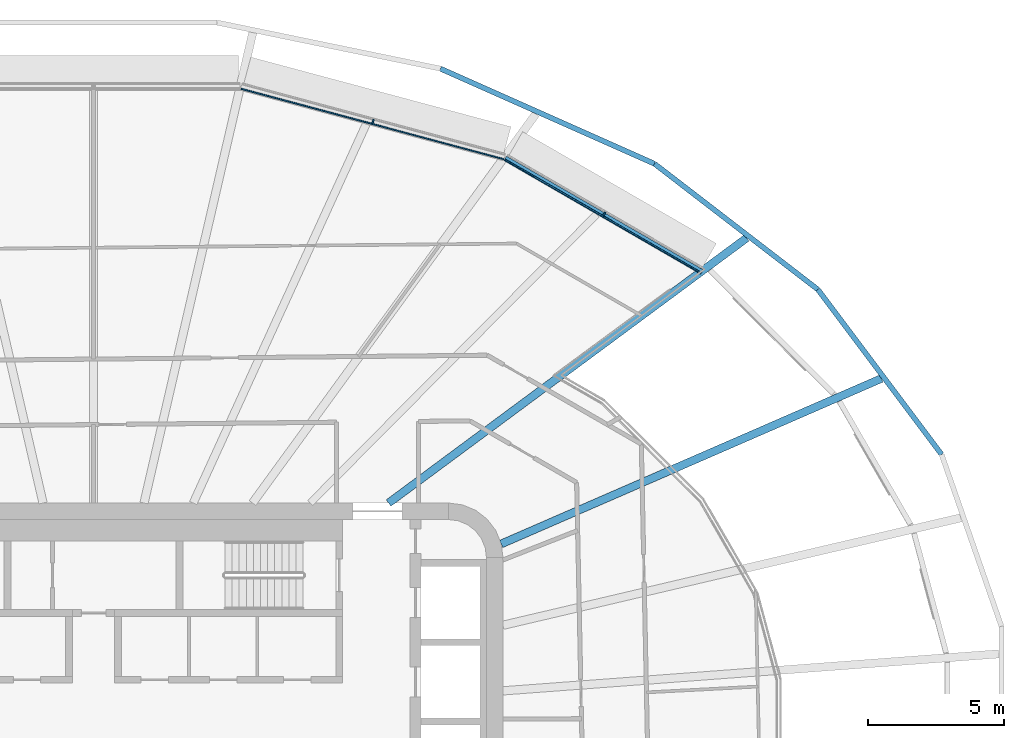
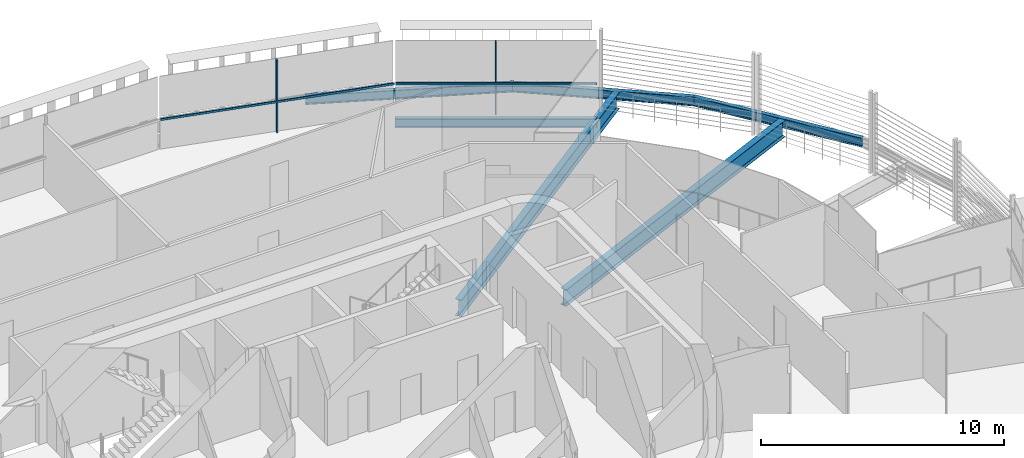
# One storey, part 9 of 24: 6 beams, 4 members, 2 elements without a shape of their own.
"""IFC4 building model written with IfcOpenShell, lengths in metres."""

from ifc_helpers import new_model, si_unit, direction, frame, origin, origin_2d, place, context, subcontext, project, spatial, rectangle, i_section, extrude, material, layer, layer_set, material_profile, profile_set, type_object, element, aggregate, save


model = new_model("IFC4")

# Units and contexts
model_context = context("Model", 3, precision=1e-05, world=origin(), true_north=direction((0.0, 1.0)))
body_context = subcontext(model_context, "Body", "Model", "MODEL_VIEW")
ifc_project = project(units=[si_unit("LENGTHUNIT", "METRE"), si_unit("AREAUNIT", "SQUARE_METRE"), si_unit("VOLUMEUNIT", "CUBIC_METRE"), si_unit("PLANEANGLEUNIT", "RADIAN"), si_unit("MASSUNIT", "GRAM", prefix="KILO")], contexts=[model_context])

# Site, building, storey
site_placement = place(None, origin())
site = spatial("IfcSite", under=ifc_project, at=site_placement, CompositionType="ELEMENT")
building_placement = place(site_placement, origin())
building = spatial("IfcBuilding", under=site, at=building_placement, Name="Sahrelin Media Tower", CompositionType="ELEMENT")
storey_placement = place(building_placement, frame((0.0, 0.0, 71.39990234375)))
storey = spatial("IfcBuildingStorey", under=building, at=storey_placement, Name="L12", CompositionType="ELEMENT", Elevation=71.39990234375)

# Beam
ifc_material_1 = material(Name="Steel S355", Category="steel")
ifc_material_profile_1 = material_profile(ifc_material_1, i_section(OverallWidth=0.1904296875, OverallDepth=0.45703125, WebThickness=0.009033203125, FlangeThickness=0.014404296875, FilletRadius=0.01025390625, at=origin_2d()), Name="UB 457x191x74")
ifc_profile_set_1 = profile_set([ifc_material_profile_1], Name="Steel S355")
beam_type_1 = type_object("IfcBeamType", Name="Edge beam EB5", PredefinedType="BEAM", material=ifc_profile_set_1)
beam_1_placement = place(storey_placement, frame((15.078857421875, 20.623291015625, -0.37841796875), z_axis=(0.866018055373, -0.500012727605, 0.0), x_axis=(0.500012727605, 0.866018055373, 0.0)))
element("IfcBeam", 1, at=beam_1_placement, inside=storey, type_object=beam_type_1, Name="Edge beam L12-20", PredefinedType="BEAM", context=body_context, shape_type="SweptSolid", body=[
    extrude(i_section(OverallWidth=0.1904296875, OverallDepth=0.45703125, WebThickness=0.009033203125, FlangeThickness=0.014404296875, FilletRadius=0.01025390625, at=origin_2d()), origin(), (0.0, 0.0, 1.0), 8.323974609375),
])

# Curtain wall, member
ifc_material_2 = material(Name="Champagne anodised aluminium 6063-T6", Category="aluminium")
ifc_layer = layer(ifc_material_2, 0.14990234375)
ifc_layer_set = layer_set([ifc_layer], Name="Tower ribbon curtain wall")
curtain_wall_type = type_object("IfcCurtainWallType", Name="Tower ribbon curtain wall", PredefinedType="NOTDEFINED", material=ifc_layer_set)
curtain_wall_1_placement = place(storey_placement, frame((18.75830078125, 18.672119140625, 0.0), z_axis=(0.0, 0.0, 1.0), x_axis=(1.0, 0.0, 0.0)))
curtain_wall_1 = element("IfcCurtainWall", 2, at=curtain_wall_1_placement, inside=storey, type_object=curtain_wall_type, Name="L12:CW:L12-04", PredefinedType="NOTDEFINED")
ifc_material_profile_2 = material_profile(ifc_material_2, rectangle(XDim=0.06005859375, YDim=0.14990234375, at=origin_2d()), Name="Mullion 60x150")
ifc_profile_set_2 = profile_set([ifc_material_profile_2], Name="Champagne anodised aluminium 6063-T6")
member_type_1 = type_object("IfcMemberType", Name="Mullion 60x150 CW1", PredefinedType="MULLION", material=ifc_profile_set_2)
member_1_placement = place(storey_placement, frame((18.710693359375, 18.58984375, 0.0), z_axis=(0.0, 0.0, 1.0), x_axis=(-0.866027149108, 0.499996976998, 0.0)))
member_1 = element("IfcMember", 3, at=member_1_placement, type_object=member_type_1, Name="L12:CWM:L12-04", PredefinedType="MULLION", context=body_context, shape_type="SweptSolid", body=[
    extrude(rectangle(XDim=0.06005859375, YDim=0.14990234375, at=origin_2d()), origin(), (0.0, 0.0, 1.0), 3.648681640625),
])

curtain_wall_2_placement = place(storey_placement, frame((10.263916015625, 22.072509765625, 0.0), z_axis=(0.0, 0.0, 1.0), x_axis=(1.0, 0.0, 0.0)))
curtain_wall_2 = element("IfcCurtainWall", 4, at=curtain_wall_2_placement, inside=storey, type_object=curtain_wall_type, Name="L12:CW:L12-05", PredefinedType="NOTDEFINED")
member_2_placement = place(storey_placement, frame((10.239501953125, 21.980712890625, 0.0), z_axis=(0.0, 0.0, 1.0), x_axis=(-0.965925826289, 0.258819045103, 0.0)))
member_2 = element("IfcMember", 5, at=member_2_placement, type_object=member_type_1, Name="L12:CWM:L12-05", PredefinedType="MULLION", context=body_context, shape_type="SweptSolid", body=[
    extrude(rectangle(XDim=0.06005859375, YDim=0.14990234375, at=origin_2d()), origin(), (0.0, 0.0, 1.0), 3.648681640625),
])

# Beams
ifc_material_profile_3 = material_profile(ifc_material_1, i_section(OverallWidth=0.291748046875, OverallDepth=0.8349609375, WebThickness=0.013916015625, FlangeThickness=0.018798828125, FilletRadius=0.017822265625, at=origin_2d()), Name="UB 838x292x176")
ifc_profile_set_3 = profile_set([ifc_material_profile_3], Name="Steel S355")
beam_type_2 = type_object("IfcBeamType", Name="Radial primary beam PB10", PredefinedType="BEAM", material=ifc_profile_set_3)
beam_2_placement = place(storey_placement, frame((14.934326171875, 6.49951171875, -0.5673828125), z_axis=(0.916931758114, 0.399044046394, 0.0), x_axis=(-0.399044046394, 0.916931758114, 0.0)))
element("IfcBeam", 6, at=beam_2_placement, inside=storey, type_object=beam_type_2, Name="Radial beam L12-03", PredefinedType="BEAM", context=body_context, shape_type="SweptSolid", body=[
    extrude(i_section(OverallWidth=0.291748046875, OverallDepth=0.8349609375, WebThickness=0.013916015625, FlangeThickness=0.018798828125, FilletRadius=0.017822265625, at=origin_2d()), origin(), (0.0, 0.0, 1.0), 15.189453125),
])
beam_3_placement = place(storey_placement, frame((10.808349609375, 8.0, -0.5673828125), z_axis=(0.803782665278, 0.594923042922, 0.0), x_axis=(-0.594923042922, 0.803782665278, 0.0)))
element("IfcBeam", 7, at=beam_3_placement, inside=storey, type_object=beam_type_2, Name="Radial beam L12-04", PredefinedType="BEAM", context=body_context, shape_type="SweptSolid", body=[
    extrude(i_section(OverallWidth=0.291748046875, OverallDepth=0.8349609375, WebThickness=0.013916015625, FlangeThickness=0.018798828125, FilletRadius=0.017822265625, at=origin_2d()), origin(), (0.0, 0.0, 1.0), 16.3193359375),
])
ifc_material_profile_4 = material_profile(ifc_material_1, i_section(OverallWidth=0.1904296875, OverallDepth=0.45703125, WebThickness=0.009033203125, FlangeThickness=0.014404296875, FilletRadius=0.01025390625, at=origin_2d()), Name="UB 457x191x74")
ifc_profile_set_4 = profile_set([ifc_material_profile_4], Name="Steel S355")
beam_type_3 = type_object("IfcBeamType", Name="Tie chord TC5", PredefinedType="BEAM", material=ifc_profile_set_4)
beam_4_placement = place(storey_placement, frame((31.06689453125, 9.7802734375, -0.37841796875), z_axis=(-0.60006210035, 0.799953420971, 0.0), x_axis=(-0.799953420971, -0.60006210035, 0.0)))
element("IfcBeam", 8, at=beam_4_placement, inside=storey, type_object=beam_type_3, Name="Tie chord L12-02", PredefinedType="BEAM", context=body_context, shape_type="SweptSolid", body=[
    extrude(i_section(OverallWidth=0.1904296875, OverallDepth=0.45703125, WebThickness=0.009033203125, FlangeThickness=0.014404296875, FilletRadius=0.01025390625, at=origin_2d()), origin(), (0.0, 0.0, 1.0), 7.548095703125),
])
beam_5_placement = place(storey_placement, frame((26.53759765625, 15.818359375, -0.37841796875), z_axis=(-0.79243291887, 0.609959071652, 0.0), x_axis=(-0.609959071652, -0.79243291887, 0.0)))
element("IfcBeam", 9, at=beam_5_placement, inside=storey, type_object=beam_type_3, Name="Tie chord L12-03", PredefinedType="BEAM", context=body_context, shape_type="SweptSolid", body=[
    extrude(i_section(OverallWidth=0.1904296875, OverallDepth=0.45703125, WebThickness=0.009033203125, FlangeThickness=0.014404296875, FilletRadius=0.01025390625, at=origin_2d()), origin(), (0.0, 0.0, 1.0), 7.553955078125),
])
beam_6_placement = place(storey_placement, frame((20.551513671875, 20.426025390625, -0.37841796875), z_axis=(-0.913836174684, 0.406083052884, 0.0), x_axis=(-0.406083052884, -0.913836174684, 0.0)))
element("IfcBeam", 10, at=beam_6_placement, inside=storey, type_object=beam_type_3, Name="Tie chord L12-04", PredefinedType="BEAM", context=body_context, shape_type="SweptSolid", body=[
    extrude(i_section(OverallWidth=0.1904296875, OverallDepth=0.45703125, WebThickness=0.009033203125, FlangeThickness=0.014404296875, FilletRadius=0.01025390625, at=origin_2d()), origin(), (0.0, 0.0, 1.0), 8.584716796875),
])

# Member
ifc_material_profile_5 = material_profile(ifc_material_2, rectangle(XDim=0.050048828125, YDim=0.10009765625, at=origin_2d()), Name="Transom 50x100")
ifc_profile_set_5 = profile_set([ifc_material_profile_5], Name="Champagne anodised aluminium 6063-T6")
member_type_2 = type_object("IfcMemberType", Name="Transom 50x100 CW1", PredefinedType="USERDEFINED", material=ifc_profile_set_5)
member_3_placement = place(storey_placement, frame((22.25146484375, 16.43017578125, 1.60009765625), z_axis=(-0.866022320763, 0.500005339912, 0.0), x_axis=(-0.500005339912, -0.866022320763, 0.0)))
member_3 = element("IfcMember", 11, at=member_3_placement, type_object=member_type_2, Name="L12:CWT:L12-04", ObjectType="TRANSOM", PredefinedType="USERDEFINED", context=body_context, shape_type="SweptSolid", body=[
    extrude(rectangle(XDim=0.050048828125, YDim=0.10009765625, at=origin_2d()), origin(), (0.0, 0.0, 1.0), 8.29248046875),
])

aggregate(curtain_wall_1, [member_1, member_3])

member_4_placement = place(storey_placement, frame((15.025390625, 20.5947265625, 1.60009765625), z_axis=(-0.9659214719, 0.258835295357, 0.0), x_axis=(-0.258835295357, -0.9659214719, 0.0)))
member_4 = element("IfcMember", 12, at=member_4_placement, type_object=member_type_2, Name="L12:CWT:L12-05", ObjectType="TRANSOM", PredefinedType="USERDEFINED", context=body_context, shape_type="SweptSolid", body=[
    extrude(rectangle(XDim=0.050048828125, YDim=0.10009765625, at=origin_2d()), origin(), (0.0, 0.0, 1.0), 9.96337890625),
])

aggregate(curtain_wall_2, [member_2, member_4])

save(model, "model.ifc")
